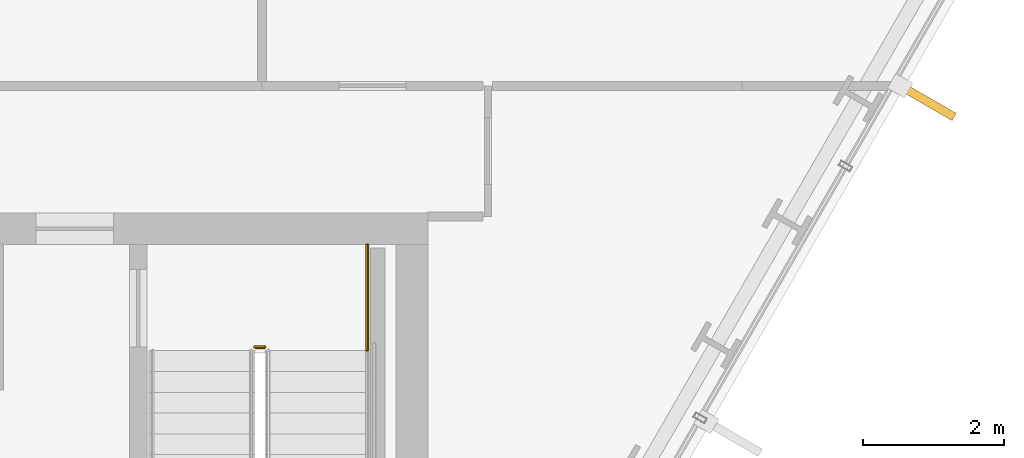
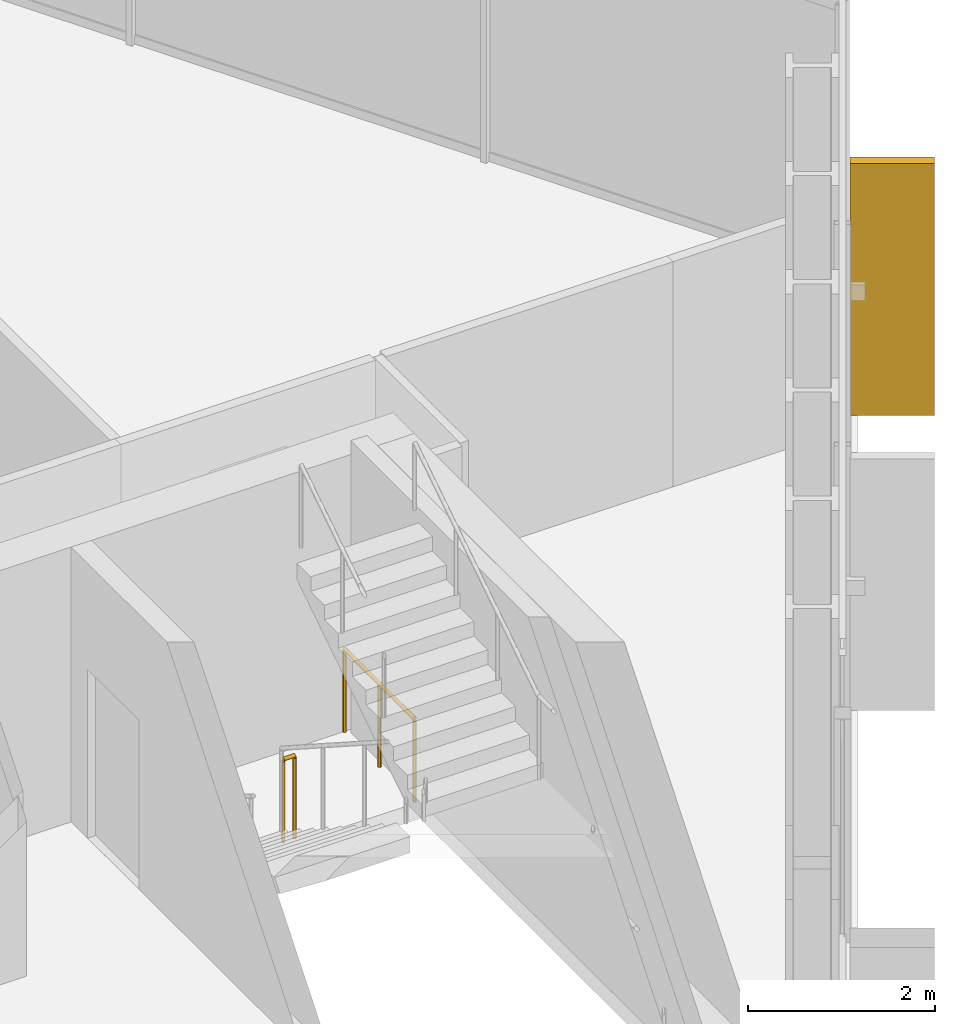
# One storey, part 32 of 33: 2 railings, 1 shading device.
"""IFC4 building model written with IfcOpenShell, lengths in metres."""

from ifc_helpers import new_model, si_unit, direction, frame, origin, origin_2d, place, context, subcontext, project, spatial, rectangle, circle, extrude, material, layer, layer_set, type_object, element, save


model = new_model("IFC4")

# Units and contexts
model_context = context("Model", 3, precision=1e-05, world=origin(), true_north=direction((0.0, 1.0)))
body_context = subcontext(model_context, "Body", "Model", "MODEL_VIEW")
ifc_project = project(units=[si_unit("LENGTHUNIT", "METRE"), si_unit("AREAUNIT", "SQUARE_METRE"), si_unit("VOLUMEUNIT", "CUBIC_METRE"), si_unit("PLANEANGLEUNIT", "RADIAN"), si_unit("MASSUNIT", "GRAM", prefix="KILO")], contexts=[model_context])

# Site, building, storey
site_placement = place(None, origin())
site = spatial("IfcSite", under=ifc_project, at=site_placement, CompositionType="ELEMENT")
building_placement = place(site_placement, origin())
building = spatial("IfcBuilding", under=site, at=building_placement, Name="Ndaravel Arena Tower", CompositionType="ELEMENT")
storey_placement = place(building_placement, frame((0.0, 0.0, 36.0)))
storey = spatial("IfcBuildingStorey", under=building, at=storey_placement, Name="L06", CompositionType="ELEMENT", Elevation=36.0)

# Railings
ifc_material_1 = material(Name="Steel S355", Category="steel")
ifc_layer = layer(ifc_material_1, 0.06005859375)
ifc_layer_set = layer_set([ifc_layer], Name="Steel S355")
railing_type = type_object("IfcRailingType", Name="RAIL-STAIR-GD1100", PredefinedType="GUARDRAIL", material=ifc_layer_set)
railing_1_placement = place(storey_placement, frame((55.10009765625, 13.300048828125, 0.0)))
element("IfcRailing", 1, at=railing_1_placement, inside=storey, type_object=railing_type, Name="L06 ST-3 stair guard 4", PredefinedType="GUARDRAIL", context=body_context, shape_type="SweptSolid", body=[
    extrude(circle(Radius=0.02392578125, at=origin_2d()), frame((0.0, 0.0, 1.076171875), z_axis=(1.0, 0.0, 0.0), x_axis=(0.0, 1.0, 0.0)), (0.0, 0.0, 1.0), 0.139892578125),
    extrude(circle(Radius=0.02099609375, at=origin_2d()), origin(), (0.0, 0.0, 1.0), 1.052001953125),
    extrude(circle(Radius=0.02099609375, at=origin_2d()), frame((0.139892578125, 0.0, 0.0)), (0.0, 0.0, 1.0), 1.052001953125),
])
railing_2_placement = place(storey_placement, frame((56.68994140625, 14.75, 0.0)))
element("IfcRailing", 2, at=railing_2_placement, inside=storey, type_object=railing_type, Name="L06 ST-3 stair guard 5", PredefinedType="GUARDRAIL", context=body_context, shape_type="SweptSolid", body=[
    extrude(circle(Radius=0.02392578125, at=origin_2d()), frame((0.0, 0.0, 1.076171875), z_axis=(0.0, -1.0, 0.0), x_axis=(1.0, 0.0, 0.0)), (0.0, 0.0, 1.0), 1.5),
    extrude(circle(Radius=0.02099609375, at=origin_2d()), origin(), (0.0, 0.0, 1.0), 1.052001953125),
    extrude(circle(Radius=0.02099609375, at=origin_2d()), frame((0.0, -0.75, 0.0)), (0.0, 0.0, 1.0), 1.052001953125),
    extrude(circle(Radius=0.02099609375, at=origin_2d()), frame((0.0, -1.5, 0.0)), (0.0, 0.0, 1.0), 1.052001953125),
])

# Shading device
ifc_material_2 = material(Name="Masonry", Category="masonry")
shading_device_type = type_object("IfcShadingDeviceType", Name="SHD-MAZERAS-FIN", PredefinedType="SHUTTER", material=ifc_material_2)
shading_device_placement = place(storey_placement, frame((64.6162109375, 16.78466796875, 0.14990234375), z_axis=(0.0, 0.0, 1.0), x_axis=(0.866025403784, -0.5, 0.0)))
element("IfcShadingDevice", 3, at=shading_device_placement, inside=storey, type_object=shading_device_type, Name="L06 Mazeras Stone Solar Fin E2.3", PredefinedType="SHUTTER", context=body_context, shape_type="SweptSolid", body=[
    extrude(rectangle(XDim=0.89990234375, YDim=0.1201171875, at=origin_2d()), origin(), (0.0, 0.0, 1.0), 3.280029296875),
])

save(model, "model.ifc")
